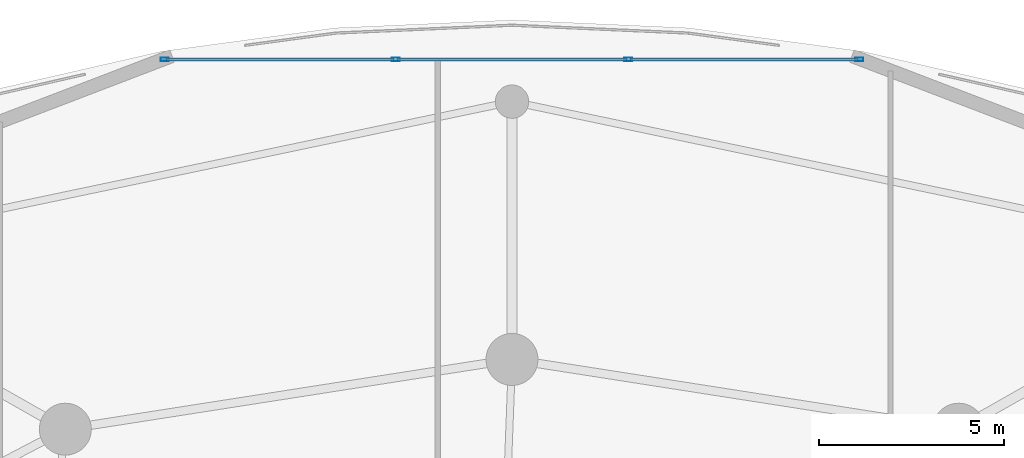
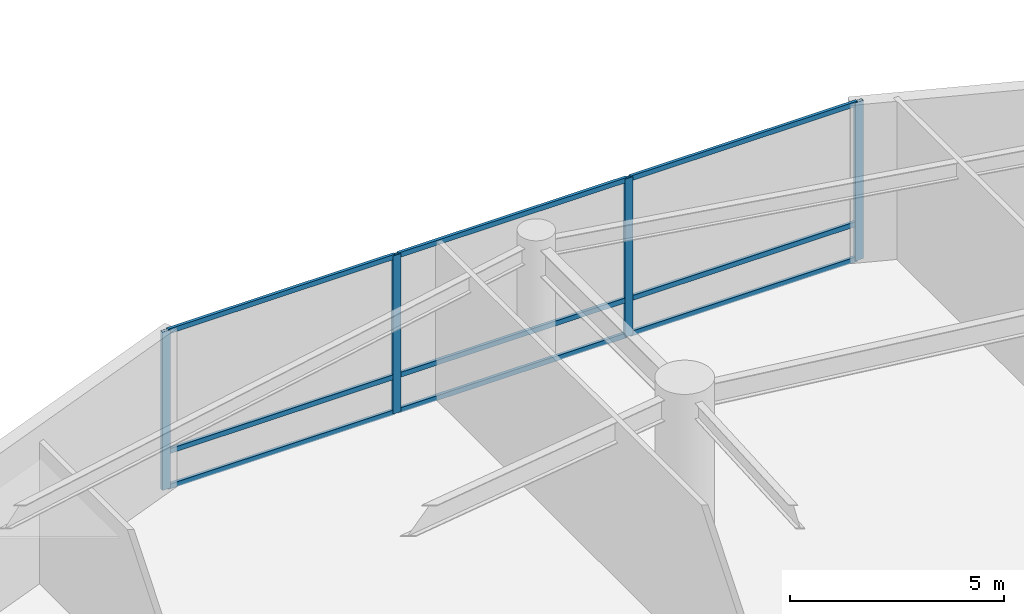
# One storey, part 22 of 40: 13 members, 1 element without a shape of its own.
"""IFC4 building model written with IfcOpenShell, lengths in metres."""

from ifc_helpers import new_model, si_unit, direction, frame, origin, origin_2d, place, context, subcontext, project, spatial, hollow_rectangle, extrude, material, layer, layer_set, material_profile, profile_set, type_object, element, aggregate, save


model = new_model("IFC4")

# Units and contexts
model_context = context("Model", 3, precision=1e-05, world=origin(), true_north=direction((0.0, 1.0)))
body_context = subcontext(model_context, "Body", "Model", "MODEL_VIEW")
ifc_project = project(units=[si_unit("LENGTHUNIT", "METRE"), si_unit("AREAUNIT", "SQUARE_METRE"), si_unit("VOLUMEUNIT", "CUBIC_METRE"), si_unit("PLANEANGLEUNIT", "RADIAN"), si_unit("MASSUNIT", "GRAM", prefix="KILO")], contexts=[model_context])

# Site, building, storey
site_placement = place(None, origin())
site = spatial("IfcSite", under=ifc_project, at=site_placement, CompositionType="ELEMENT")
building_placement = place(site_placement, origin())
building = spatial("IfcBuilding", under=site, at=building_placement, Name="Kazevale Care Tower and Concert Hall", CompositionType="ELEMENT")
storey_placement = place(building_placement, frame((0.0, 0.0, 4.800048828125)))
storey = spatial("IfcBuildingStorey", under=building, at=storey_placement, Name="L01", CompositionType="ELEMENT", Elevation=4.800048828125)

# Curtain wall, members
ifc_material_1 = material(Name="Aluminium 6063-T6 and Low-E Glass", Category="aluminium")
ifc_layer = layer(ifc_material_1, 0.179931640625)
ifc_layer_set = layer_set([ifc_layer], Name="Aluminium 6063-T6 and Low-E Glass")
curtain_wall_type = type_object("IfcCurtainWallType", Name="Podium Double-Skin Medical Curtain Wall CW-1", PredefinedType="NOTDEFINED", material=ifc_layer_set)
curtain_wall_placement = place(storey_placement, origin())
curtain_wall = element("IfcCurtainWall", 1, at=curtain_wall_placement, inside=storey, type_object=curtain_wall_type, Name="cw:L01:pod:04", PredefinedType="NOTDEFINED")
ifc_material_2 = material(Name="Aluminium 6063-T6", Category="aluminium")
ifc_material_profile_1 = material_profile(ifc_material_2, hollow_rectangle(XDim=0.090087890625, YDim=0.219970703125, WallThickness=0.0048828125, at=origin_2d()), Name="ALU90x220x5")
ifc_profile_set_1 = profile_set([ifc_material_profile_1], Name="Aluminium 6063-T6")
member_type_1 = type_object("IfcMemberType", Name="CW-1 Mullion ALU90x220x5", PredefinedType="MULLION", material=ifc_profile_set_1)
member_1_placement = place(storey_placement, frame((54.363037109375, 70.738037109375, 0.0), z_axis=(0.0, 0.0, 1.0), x_axis=(0.0, -1.0, 0.0)))
member_1 = element("IfcMember", 2, at=member_1_placement, type_object=member_type_1, Name="CW-1 mullion 1", PredefinedType="MULLION", context=body_context, shape_type="SweptSolid", body=[
    extrude(hollow_rectangle(XDim=0.090087890625, YDim=0.219970703125, WallThickness=0.0048828125, at=origin_2d()), origin(), (0.0, 0.0, 1.0), 4.52001953125),
])
member_2_placement = place(storey_placement, frame((48.135986328125, 70.738037109375, 0.0), z_axis=(0.0, 0.0, 1.0), x_axis=(0.0, -1.0, 0.0)))
member_2 = element("IfcMember", 3, at=member_2_placement, type_object=member_type_1, Name="CW-1 mullion 2", PredefinedType="MULLION", context=body_context, shape_type="SweptSolid", body=[
    extrude(hollow_rectangle(XDim=0.090087890625, YDim=0.219970703125, WallThickness=0.0048828125, at=origin_2d()), origin(), (0.0, 0.0, 1.0), 4.52001953125),
])
member_3_placement = place(storey_placement, frame((41.864013671875, 70.738037109375, 0.0), z_axis=(0.0, 0.0, 1.0), x_axis=(0.0, -1.0, 0.0)))
member_3 = element("IfcMember", 4, at=member_3_placement, type_object=member_type_1, Name="CW-1 mullion 3", PredefinedType="MULLION", context=body_context, shape_type="SweptSolid", body=[
    extrude(hollow_rectangle(XDim=0.090087890625, YDim=0.219970703125, WallThickness=0.0048828125, at=origin_2d()), origin(), (0.0, 0.0, 1.0), 4.52001953125),
])
member_4_placement = place(storey_placement, frame((35.636962890625, 70.738037109375, 0.0), z_axis=(0.0, 0.0, 1.0), x_axis=(0.0, -1.0, 0.0)))
member_4 = element("IfcMember", 5, at=member_4_placement, type_object=member_type_1, Name="CW-1 mullion 4", PredefinedType="MULLION", context=body_context, shape_type="SweptSolid", body=[
    extrude(hollow_rectangle(XDim=0.090087890625, YDim=0.219970703125, WallThickness=0.0048828125, at=origin_2d()), origin(), (0.0, 0.0, 1.0), 4.52001953125),
])
ifc_material_profile_2 = material_profile(ifc_material_2, hollow_rectangle(XDim=0.080078125, YDim=0.139892578125, WallThickness=0.00390625, at=origin_2d()), Name="ALU80x140x4")
ifc_profile_set_2 = profile_set([ifc_material_profile_2], Name="Aluminium 6063-T6")
member_type_2 = type_object("IfcMemberType", Name="CW-1 Transom ALU80x140x4", PredefinedType="USERDEFINED", material=ifc_profile_set_2)
member_5_placement = place(storey_placement, frame((54.318115234375, 70.738037109375, 0.0400390625), z_axis=(-1.0, 0.0, 0.0), x_axis=(0.0, -1.0, 0.0)))
member_5 = element("IfcMember", 6, at=member_5_placement, type_object=member_type_2, Name="CW-1 transom 1.1", ObjectType="TRANSOM", PredefinedType="USERDEFINED", context=body_context, shape_type="SweptSolid", body=[
    extrude(hollow_rectangle(XDim=0.080078125, YDim=0.139892578125, WallThickness=0.00390625, at=origin_2d()), origin(), (0.0, 0.0, 1.0), 6.13720703125),
])
member_6_placement = place(storey_placement, frame((54.318115234375, 70.738037109375, 1.050048828125), z_axis=(-1.0, 0.0, 0.0), x_axis=(0.0, -1.0, 0.0)))
member_6 = element("IfcMember", 7, at=member_6_placement, type_object=member_type_2, Name="CW-1 transom 1.2", ObjectType="TRANSOM", PredefinedType="USERDEFINED", context=body_context, shape_type="SweptSolid", body=[
    extrude(hollow_rectangle(XDim=0.080078125, YDim=0.139892578125, WallThickness=0.00390625, at=origin_2d()), origin(), (0.0, 0.0, 1.0), 6.13720703125),
])
member_7_placement = place(storey_placement, frame((54.318115234375, 70.738037109375, 4.47998046875), z_axis=(-1.0, 0.0, 0.0), x_axis=(0.0, -1.0, 0.0)))
member_7 = element("IfcMember", 8, at=member_7_placement, type_object=member_type_2, Name="CW-1 transom 1.3", ObjectType="TRANSOM", PredefinedType="USERDEFINED", context=body_context, shape_type="SweptSolid", body=[
    extrude(hollow_rectangle(XDim=0.080078125, YDim=0.139892578125, WallThickness=0.00390625, at=origin_2d()), origin(), (0.0, 0.0, 1.0), 6.13720703125),
])
member_8_placement = place(storey_placement, frame((48.091064453125, 70.738037109375, 0.0400390625), z_axis=(-1.0, 0.0, 0.0), x_axis=(0.0, -1.0, 0.0)))
member_8 = element("IfcMember", 9, at=member_8_placement, type_object=member_type_2, Name="CW-1 transom 2.1", ObjectType="TRANSOM", PredefinedType="USERDEFINED", context=body_context, shape_type="SweptSolid", body=[
    extrude(hollow_rectangle(XDim=0.080078125, YDim=0.139892578125, WallThickness=0.00390625, at=origin_2d()), origin(), (0.0, 0.0, 1.0), 6.18212890625),
])
member_9_placement = place(storey_placement, frame((48.091064453125, 70.738037109375, 1.050048828125), z_axis=(-1.0, 0.0, 0.0), x_axis=(0.0, -1.0, 0.0)))
member_9 = element("IfcMember", 10, at=member_9_placement, type_object=member_type_2, Name="CW-1 transom 2.2", ObjectType="TRANSOM", PredefinedType="USERDEFINED", context=body_context, shape_type="SweptSolid", body=[
    extrude(hollow_rectangle(XDim=0.080078125, YDim=0.139892578125, WallThickness=0.00390625, at=origin_2d()), origin(), (0.0, 0.0, 1.0), 6.18212890625),
])
member_10_placement = place(storey_placement, frame((48.091064453125, 70.738037109375, 4.47998046875), z_axis=(-1.0, 0.0, 0.0), x_axis=(0.0, -1.0, 0.0)))
member_10 = element("IfcMember", 11, at=member_10_placement, type_object=member_type_2, Name="CW-1 transom 2.3", ObjectType="TRANSOM", PredefinedType="USERDEFINED", context=body_context, shape_type="SweptSolid", body=[
    extrude(hollow_rectangle(XDim=0.080078125, YDim=0.139892578125, WallThickness=0.00390625, at=origin_2d()), origin(), (0.0, 0.0, 1.0), 6.18212890625),
])
member_11_placement = place(storey_placement, frame((41.819091796875, 70.738037109375, 0.0400390625), z_axis=(-1.0, 0.0, 0.0), x_axis=(0.0, -1.0, 0.0)))
member_11 = element("IfcMember", 12, at=member_11_placement, type_object=member_type_2, Name="CW-1 transom 3.1", ObjectType="TRANSOM", PredefinedType="USERDEFINED", context=body_context, shape_type="SweptSolid", body=[
    extrude(hollow_rectangle(XDim=0.080078125, YDim=0.139892578125, WallThickness=0.00390625, at=origin_2d()), origin(), (0.0, 0.0, 1.0), 6.13720703125),
])
member_12_placement = place(storey_placement, frame((41.819091796875, 70.738037109375, 1.050048828125), z_axis=(-1.0, 0.0, 0.0), x_axis=(0.0, -1.0, 0.0)))
member_12 = element("IfcMember", 13, at=member_12_placement, type_object=member_type_2, Name="CW-1 transom 3.2", ObjectType="TRANSOM", PredefinedType="USERDEFINED", context=body_context, shape_type="SweptSolid", body=[
    extrude(hollow_rectangle(XDim=0.080078125, YDim=0.139892578125, WallThickness=0.00390625, at=origin_2d()), origin(), (0.0, 0.0, 1.0), 6.13720703125),
])
member_13_placement = place(storey_placement, frame((41.819091796875, 70.738037109375, 4.47998046875), z_axis=(-1.0, 0.0, 0.0), x_axis=(0.0, -1.0, 0.0)))
member_13 = element("IfcMember", 14, at=member_13_placement, type_object=member_type_2, Name="CW-1 transom 3.3", ObjectType="TRANSOM", PredefinedType="USERDEFINED", context=body_context, shape_type="SweptSolid", body=[
    extrude(hollow_rectangle(XDim=0.080078125, YDim=0.139892578125, WallThickness=0.00390625, at=origin_2d()), origin(), (0.0, 0.0, 1.0), 6.13720703125),
])
aggregate(curtain_wall, [member_1, member_2, member_3, member_4, member_5, member_6, member_7, member_8, member_9, member_10, member_11, member_12, member_13])

save(model, "model.ifc")
